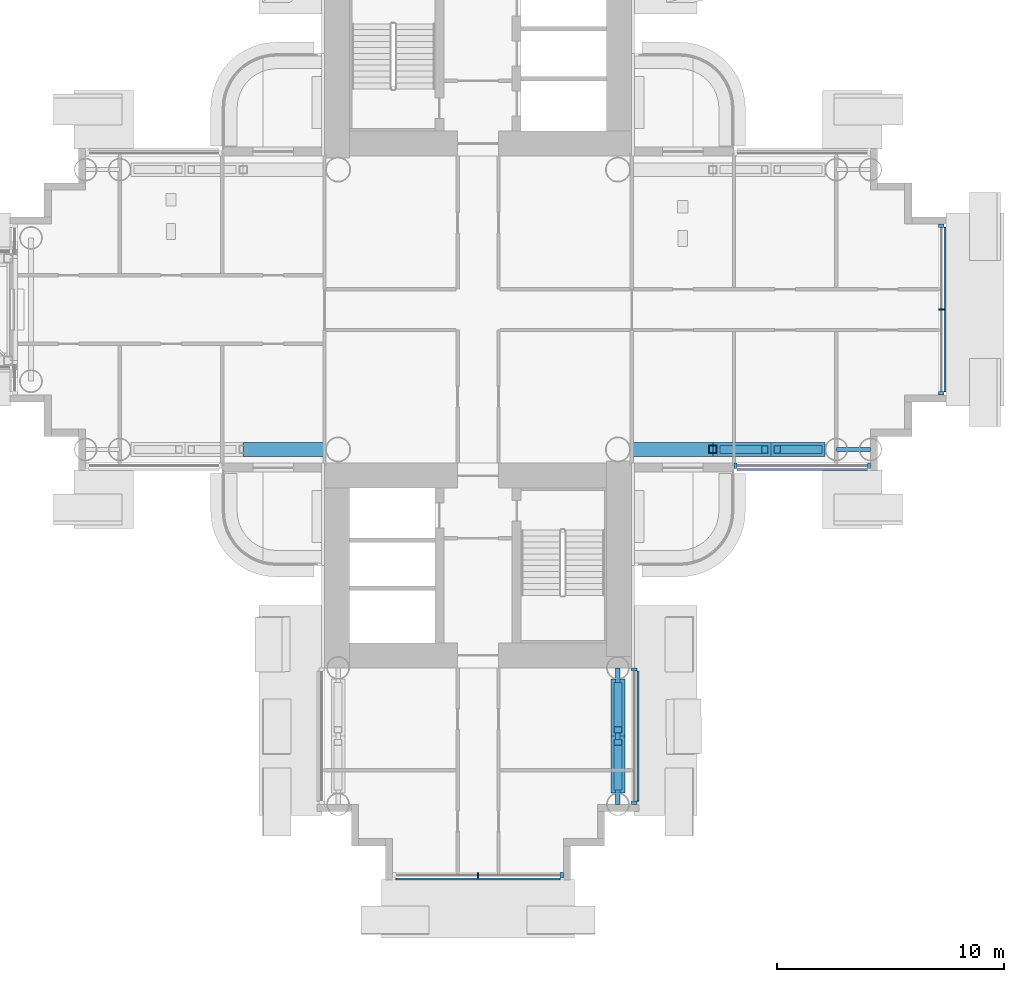
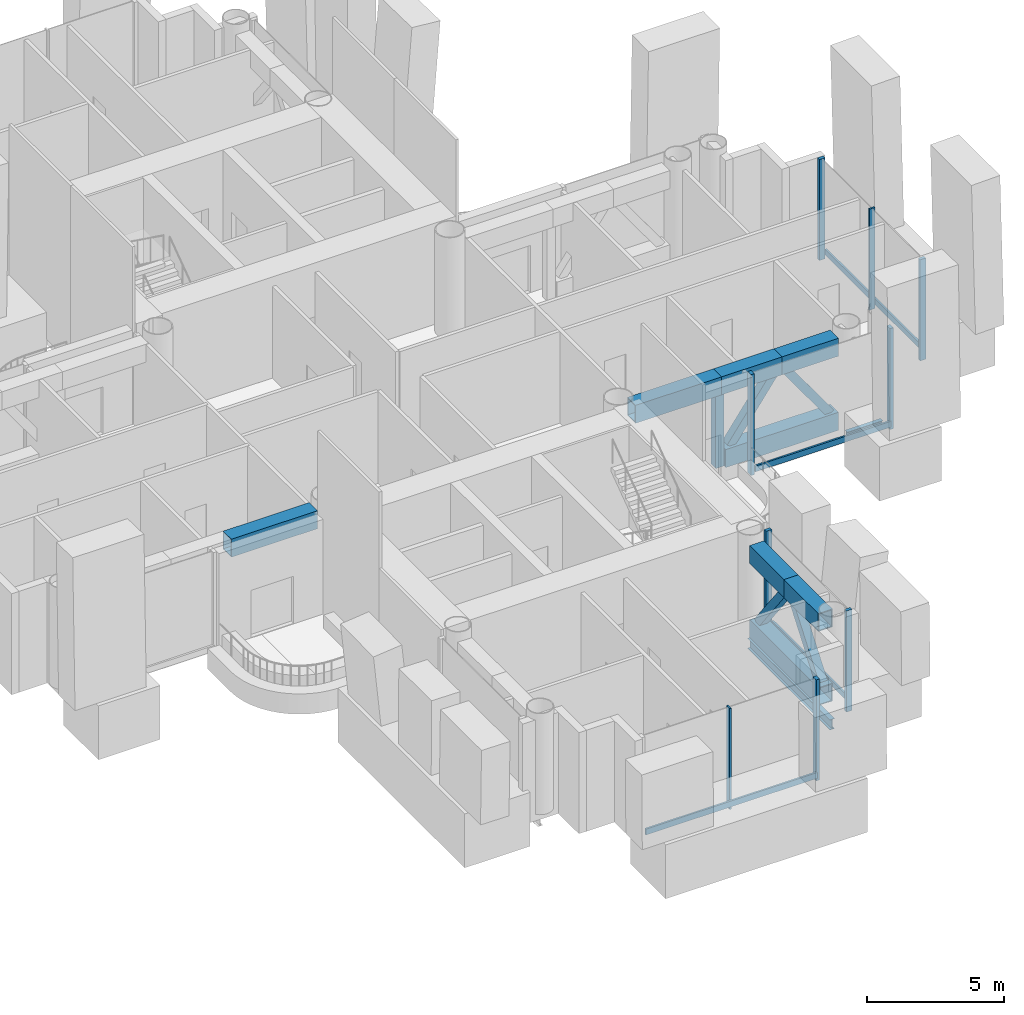
# One storey, part 8 of 27: 26 members, 2 beams, 4 elements without a shape of their own.
"""IFC4 building model written with IfcOpenShell, lengths in metres."""

import ifcopenshell
import ifcopenshell.guid

model = None  # the IFC model being written
_history = None  # IfcOwnerHistory: only IFC2X3 demands one
_inside = {}  # id of a spatial element -> (the spatial element, [elements in it])
_under = {}  # id of a project, library or spatial element -> (it, [spatial elements below it])
_declared = {}  # id of a project -> (the project, [libraries it declares])
_typed = {}  # id of a type object -> (the type object, [elements of that type])
_made_of = {}  # id of a material, layer set ... -> (it, [elements and type objects made of it])


def new_model(schema):
    """Start an empty IFC model of exactly this schema.

    Asked for "IFC4X3", IfcOpenShell would pick the latest addendum, in which some entities
    have other attributes; the version numbers below select the first issue.
    IFC2X3 requires an IfcOwnerHistory on every rooted entity: one is made here for all.
    """
    global model, _history
    if schema == "IFC4X3":
        model = ifcopenshell.file(schema_version=(4, 3, 0, 0))
    else:
        model = ifcopenshell.file(schema=schema)
    _inside.clear()
    _under.clear()
    _declared.clear()
    _typed.clear()
    _made_of.clear()
    _history = None
    if model.schema == "IFC2X3":
        org = make("IfcOrganization", Name="unknown")
        user = make(
            "IfcPersonAndOrganization",
            ThePerson=make("IfcPerson", FamilyName="unknown"),
            TheOrganization=org,
        )
        app = make(
            "IfcApplication",
            ApplicationDeveloper=org,
            Version="unknown",
            ApplicationFullName="unknown",
            ApplicationIdentifier="unknown",
        )
        _history = make(
            "IfcOwnerHistory",
            OwningUser=user,
            OwningApplication=app,
            ChangeAction="ADDED",
            CreationDate=0,
        )
    return model


def make(cls, **values):
    """One entity of the class cls with the attributes given. An attribute that is None is left unset."""
    return model.create_entity(
        cls, **{name: value for name, value in values.items() if value is not None}
    )


def rooted(cls, **values):
    """An entity with a GlobalId (a new one), such as an element, a storey or a relation."""
    return make(cls, GlobalId=ifcopenshell.guid.new(), OwnerHistory=_history, **values)


def si_unit(unit_type, name, prefix=None):
    """IfcSIUnit, for example si_unit("LENGTHUNIT", "METRE", prefix="MILLI")."""
    return make("IfcSIUnit", UnitType=unit_type, Prefix=prefix, Name=name)


def assignment(units):
    """IfcUnitAssignment: the units of a project."""
    return None if units is None else make("IfcUnitAssignment", Units=units)


def point(xyz):
    """IfcCartesianPoint."""
    return None if xyz is None else make("IfcCartesianPoint", Coordinates=xyz)


def direction(xyz):
    """IfcDirection."""
    return None if xyz is None else make("IfcDirection", DirectionRatios=xyz)


def frame(location, z_axis=None, x_axis=None):
    """IfcAxis2Placement3D, a coordinate frame: its origin and axes. An axis left out is left unset."""
    return make(
        "IfcAxis2Placement3D",
        Location=point(location),
        Axis=direction(z_axis),
        RefDirection=direction(x_axis),
    )


def frame_2d(location, x_axis=None):
    """IfcAxis2Placement2D, a coordinate frame in the plane: its origin and x axis."""
    return make(
        "IfcAxis2Placement2D", Location=point(location), RefDirection=direction(x_axis)
    )


def origin():
    """The frame at (0, 0, 0) with its axes left unset."""
    return frame((0.0, 0.0, 0.0))


def origin_2d():
    """The frame at (0, 0) in the plane with its x axis left unset."""
    return frame_2d((0.0, 0.0))


def place(relative_to, where):
    """IfcLocalPlacement: puts the frame where relative to a parent placement (None: the world)."""
    return make(
        "IfcLocalPlacement", PlacementRelTo=relative_to, RelativePlacement=where
    )


def context(
    kind, dimensions, precision=None, world=None, true_north=None, identifier=None
):
    """IfcGeometricRepresentationContext, for example the 3D "Model" context."""
    return make(
        "IfcGeometricRepresentationContext",
        ContextIdentifier=identifier,
        ContextType=kind,
        CoordinateSpaceDimension=dimensions,
        Precision=precision,
        WorldCoordinateSystem=world,
        TrueNorth=true_north,
    )


def subcontext(parent, identifier, kind, view, scale=None):
    """IfcGeometricRepresentationSubContext, for example "Body" below "Model"."""
    return make(
        "IfcGeometricRepresentationSubContext",
        ContextIdentifier=identifier,
        ContextType=kind,
        ParentContext=parent,
        TargetScale=scale,
        TargetView=view,
    )


def project(units=None, contexts=None):
    """IfcProject with its units and contexts."""
    return rooted(
        "IfcProject",
        Name="project",
        RepresentationContexts=contexts,
        UnitsInContext=assignment(units),
    )


def spatial(cls, under=None, at=None, **own):
    """A site, building, storey or space (cls), placed at a placement, below another one or the project."""
    s = rooted(cls, ObjectPlacement=at, **own)
    if under is not None:
        _under.setdefault(under.id(), (under, []))[1].append(s)
    return s


def profile(cls, at=None, kind="AREA", **sizes):
    """A parametric profile (cls). Its sizes go by their IFC names, for example OverallWidth=200.0."""
    return make(cls, ProfileType=kind, Position=at, **sizes)


def rectangle(**sizes):
    """IfcRectangleProfileDef."""
    return profile("IfcRectangleProfileDef", **sizes)


def hollow_rectangle(**sizes):
    """IfcRectangleHollowProfileDef."""
    return profile("IfcRectangleHollowProfileDef", **sizes)


def i_section(**sizes):
    """IfcIShapeProfileDef."""
    return profile("IfcIShapeProfileDef", **sizes)


def extrude(swept, where, along, depth):
    """IfcExtrudedAreaSolid: the profile swept, set in the frame where, extruded along a direction by depth."""
    return make(
        "IfcExtrudedAreaSolid",
        SweptArea=swept,
        Position=where,
        ExtrudedDirection=direction(along),
        Depth=depth,
    )


def shape(context_of_items, identifier, shape_type, items):
    """IfcShapeRepresentation: the items that make up one representation, for example the "Body"."""
    return make(
        "IfcShapeRepresentation",
        ContextOfItems=context_of_items,
        RepresentationIdentifier=identifier,
        RepresentationType=shape_type,
        Items=items,
    )


def material(Name=None, Category=None):
    """IfcMaterial."""
    return make("IfcMaterial", Name=Name, Category=Category)


def layer(
    of_material, thickness, ventilated=None, Name=None, Category=None, Priority=None
):
    """IfcMaterialLayer: one layer of a wall or slab, of a material (None: an air gap)."""
    return make(
        "IfcMaterialLayer",
        Material=of_material,
        LayerThickness=thickness,
        IsVentilated=ventilated,
        Name=Name,
        Category=Category,
        Priority=Priority,
    )


def layer_set(layers, Name=None):
    """IfcMaterialLayerSet."""
    return make("IfcMaterialLayerSet", MaterialLayers=layers, LayerSetName=Name)


def material_profile(
    of_material, cross_section, Name=None, Category=None, Priority=None
):
    """IfcMaterialProfile: a cross section and its material."""
    return make(
        "IfcMaterialProfile",
        Name=Name,
        Material=of_material,
        Profile=cross_section,
        Priority=Priority,
        Category=Category,
    )


def profile_set(profiles, Name=None, composite=None):
    """IfcMaterialProfileSet."""
    return make(
        "IfcMaterialProfileSet",
        Name=Name,
        MaterialProfiles=profiles,
        CompositeProfile=composite,
    )


def made_of(thing, what):
    """Note that an element or type object is made of a material, layer set ...; save() writes the relation."""
    if what is not None:
        _made_of.setdefault(what.id(), (what, []))[1].append(thing)
    return thing


def type_object(cls, material=None, **own):
    """A type object (cls), such as IfcWallType, which elements share."""
    return made_of(rooted(cls, **own), material)


def element(
    cls,
    number,
    at=None,
    inside=None,
    cuts=None,
    type_object=None,
    material=None,
    context=None,
    identifier="Body",
    shape_type=None,
    held_by="IfcProductDefinitionShape",
    body=None,
    shapes=None,
    **own,
):
    """One element of the class cls, such as IfcWall. Its Tag is "e" and its number.

    at: its placement. inside: the storey or other place that contains it. cuts: it is an
    opening in that element (IfcRelVoidsElement). A single representation is given by context,
    identifier, shape_type and body (its items); several are given by shapes. held_by: the class
    of the entity that holds the representations. save() writes the other relations.
    """
    e = rooted(cls, Tag="e%d" % number, ObjectPlacement=at, **own)
    if body is not None:
        shapes = [shape(context, identifier, shape_type, body)]
    if shapes is not None:
        e.Representation = make(held_by, Representations=shapes)
    if inside is not None:
        _inside.setdefault(inside.id(), (inside, []))[1].append(e)
    if cuts is not None:
        rooted(
            "IfcRelVoidsElement", RelatingBuildingElement=cuts, RelatedOpeningElement=e
        )
    if type_object is not None:
        _typed.setdefault(type_object.id(), (type_object, []))[1].append(e)
    return made_of(e, material)


def aggregate(whole, parts):
    """IfcRelAggregates: a whole, such as a stair, and the parts it consists of."""
    return rooted("IfcRelAggregates", RelatingObject=whole, RelatedObjects=parts)


def save(model, path):
    """Write the relations noted so far, then the file.

    IfcRelAggregates (storeys below a building ...), IfcRelContainedInSpatialStructure (elements
    in a storey), IfcRelDefinesByType, IfcRelAssociatesMaterial and IfcRelDeclares: one each for
    every whole, place, type object, material and project.
    """
    for whole, parts in _under.values():
        aggregate(whole, parts)
    for where, things in _inside.values():
        rooted(
            "IfcRelContainedInSpatialStructure",
            RelatedElements=things,
            RelatingStructure=where,
        )
    for kind, things in _typed.values():
        rooted("IfcRelDefinesByType", RelatedObjects=things, RelatingType=kind)
    for what, things in _made_of.values():
        rooted("IfcRelAssociatesMaterial", RelatedObjects=things, RelatingMaterial=what)
    for by, libraries in _declared.values():
        rooted("IfcRelDeclares", RelatingContext=by, RelatedDefinitions=libraries)
    model.write(path)


model = new_model("IFC4")

# Units and contexts
model_context = context("Model", 3, precision=1e-05, world=origin(), true_north=direction((0.0, 1.0)))
body_context = subcontext(model_context, "Body", "Model", "MODEL_VIEW")
ifc_project = project(units=[si_unit("LENGTHUNIT", "METRE"), si_unit("AREAUNIT", "SQUARE_METRE"), si_unit("VOLUMEUNIT", "CUBIC_METRE"), si_unit("PLANEANGLEUNIT", "RADIAN"), si_unit("MASSUNIT", "GRAM", prefix="KILO")], contexts=[model_context])

# Site, building, storey
site_placement = place(None, origin())
site = spatial("IfcSite", under=ifc_project, at=site_placement, CompositionType="ELEMENT")
building_placement = place(site_placement, origin())
building = spatial("IfcBuilding", under=site, at=building_placement, Name="Ipe Terrace Towers", CompositionType="ELEMENT")
storey_placement = place(building_placement, frame((0.0, 0.0, 72.10009765625)))
storey = spatial("IfcBuildingStorey", under=building, at=storey_placement, Name="L19", CompositionType="ELEMENT", Elevation=72.10009765625)

# Beams
ifc_material_1 = material(Name="Steel S355", Category="steel")
ifc_material_profile_1 = material_profile(ifc_material_1, i_section(OverallWidth=0.175048828125, OverallDepth=0.35009765625, WebThickness=0.007080078125, FlangeThickness=0.010986328125, at=origin_2d()), Name="H-350x175x7x11")
ifc_profile_set_1 = profile_set([ifc_material_profile_1], Name="Steel S355")
beam_type_1 = type_object("IfcBeamType", Name="H04 EDGE BEAM H-350x175x7x11", PredefinedType="BEAM", material=ifc_profile_set_1)
beam_1_placement = place(storey_placement, frame((51.75, -6.14990234375, -0.5751953125), z_axis=(1.0, 0.0, 0.0), x_axis=(0.0, 1.0, 0.0)))
element("IfcBeam", 1, at=beam_1_placement, inside=storey, type_object=beam_type_1, Name="Edge beam T2-EB-D03-D05", PredefinedType="BEAM", context=body_context, shape_type="SweptSolid", body=[
    extrude(i_section(OverallWidth=0.175048828125, OverallDepth=0.35009765625, WebThickness=0.007080078125, FlangeThickness=0.010986328125, at=origin_2d()), origin(), (0.0, 0.0, 1.0), 1.5),
])
ifc_material_2 = material(Name="Steel S355", Category="steel")
ifc_material_profile_2 = material_profile(ifc_material_2, i_section(OverallWidth=0.199951171875, OverallDepth=0.449951171875, WebThickness=0.009033203125, FlangeThickness=0.013916015625, at=origin_2d()), Name="H-450x200x9x14")
ifc_profile_set_2 = profile_set([ifc_material_profile_2], Name="Steel S355")
beam_type_2 = type_object("IfcBeamType", Name="H08 EDGE BEAM H-450x200x9x14", PredefinedType="BEAM", material=ifc_profile_set_2)
beam_2_placement = place(storey_placement, frame((42.14990234375, -15.75, -0.625), z_axis=(0.0, -1.0, 0.0), x_axis=(1.0, 0.0, 0.0)))
element("IfcBeam", 2, at=beam_2_placement, inside=storey, type_object=beam_type_2, Name="Edge beam T2-EB-C01-C03", PredefinedType="BEAM", context=body_context, shape_type="SweptSolid", body=[
    extrude(i_section(OverallWidth=0.199951171875, OverallDepth=0.449951171875, WebThickness=0.009033203125, FlangeThickness=0.013916015625, at=origin_2d()), origin(), (0.0, 0.0, 1.0), 6.0),
])

# Members
ifc_material_3 = material(Name="Steel S355", Category="steel")
ifc_material_profile_3 = material_profile(ifc_material_3, hollow_rectangle(XDim=0.35009765625, YDim=0.35009765625, WallThickness=0.02001953125, at=origin_2d()), Name="OUTRIGGER-BRACE BOX 350x350x20")
ifc_profile_set_3 = profile_set([ifc_material_profile_3], Name="Steel S355")
member_type_1 = type_object("IfcMemberType", Name="OUTRIGGER-BRACE BOX 350x350x20", PredefinedType="BRACE", material=ifc_profile_set_3)
for number, where, z_axis, x_axis, name in (
    (3, (42.14990234375, -16.528076171875, 0.77978515625), (0.0, -0.60773905456, 0.794136790209), (1.0, 0.0, 0.0), "T2-OR-L19-114 diagonal"),
    (4, (42.14990234375, -20.971923828125, 0.77978515625), (0.0, 0.60773905456, 0.794136790209), (-1.0, 0.0, 0.0), "T2-OR-L19-115 diagonal"),
):
    element("IfcMember", number, at=place(storey_placement, frame(where, z_axis=z_axis, x_axis=x_axis)), inside=storey, type_object=member_type_1, Name=name, PredefinedType="BRACE", context=body_context, shape_type="SweptSolid", body=[
        extrude(hollow_rectangle(XDim=0.35009765625, YDim=0.35009765625, WallThickness=0.02001953125, at=origin_2d()), origin(), (0.0, 0.0, 1.0), 3.198486328125),
    ])
for number, where, z_axis, x_axis, name in (
    (5, (46.77294921875, -6.14990234375, 0.77978515625), (0.58436225727, 0.0, 0.811492915729), (0.0, 1.0, 0.0), "T2-OR-L19-145 diagonal"),
    (6, (50.97705078125, -6.14990234375, 0.77978515625), (-0.58436225727, 0.0, 0.811492915729), (0.0, -1.0, 0.0), "T2-OR-L19-146 diagonal"),
):
    element("IfcMember", number, at=place(storey_placement, frame(where, z_axis=z_axis, x_axis=x_axis)), inside=storey, type_object=member_type_1, Name=name, PredefinedType="BRACE", context=body_context, shape_type="SweptSolid", body=[
        extrude(hollow_rectangle(XDim=0.35009765625, YDim=0.35009765625, WallThickness=0.02001953125, at=origin_2d()), origin(), (0.0, 0.0, 1.0), 3.130126953125),
    ])
ifc_material_4 = material(Name="Steel S355", Category="steel")
ifc_material_profile_4 = material_profile(ifc_material_4, hollow_rectangle(XDim=0.60009765625, YDim=0.800048828125, WallThickness=0.0400390625, at=origin_2d()), Name="OUTRIGGER-CHORD BOX 600x800x40")
ifc_profile_set_4 = profile_set([ifc_material_profile_4], Name="Steel S355")
member_type_2 = type_object("IfcMemberType", Name="OUTRIGGER-CHORD BOX 600x800x40", PredefinedType="CHORD", material=ifc_profile_set_4)
member_1_placement = place(storey_placement, frame((42.14990234375, -16.25, 0.39990234375), z_axis=(0.0, -1.0, 0.0), x_axis=(1.0, 0.0, 0.0)))
element("IfcMember", 7, at=member_1_placement, inside=storey, type_object=member_type_2, Name="T2-OR-L19-113 bottom chord", PredefinedType="CHORD", context=body_context, shape_type="SweptSolid", body=[
    extrude(hollow_rectangle(XDim=0.60009765625, YDim=0.800048828125, WallThickness=0.0400390625, at=origin_2d()), origin(), (0.0, 0.0, 1.0), 5.0),
])
for number, where, z_axis, x_axis, name in (
    (8, (42.14990234375, -16.25, 3.699951171875), (0.0, -1.0, 0.0), (1.0, 0.0, 0.0), "T2-OR-L19-116 top chord"),
    (9, (42.14990234375, -18.75, 3.699951171875), (0.0, -1.0, 0.0), (1.0, 0.0, 0.0), "T2-OR-L19-117 top chord"),
):
    element("IfcMember", number, at=place(storey_placement, frame(where, z_axis=z_axis, x_axis=x_axis)), inside=storey, type_object=member_type_2, Name=name, PredefinedType="CHORD", context=body_context, shape_type="SweptSolid", body=[
        extrude(hollow_rectangle(XDim=0.60009765625, YDim=0.800048828125, WallThickness=0.0400390625, at=origin_2d()), origin(), (0.0, 0.0, 1.0), 2.5),
    ])
member_2_placement = place(storey_placement, frame((29.300048828125, -6.14990234375, 3.699951171875), z_axis=(-1.0, 0.0, 0.0), x_axis=(0.0, -1.0, 0.0)))
element("IfcMember", 10, at=member_2_placement, inside=storey, type_object=member_type_2, Name="T2-OR-L19-127 top chord", PredefinedType="CHORD", context=body_context, shape_type="SweptSolid", body=[
    extrude(hollow_rectangle(XDim=0.60009765625, YDim=0.800048828125, WallThickness=0.0400390625, at=origin_2d()), origin(), (0.0, 0.0, 1.0), 3.625),
])
member_3_placement = place(storey_placement, frame((46.5, -6.14990234375, 0.39990234375), z_axis=(1.0, 0.0, 0.0), x_axis=(0.0, 1.0, 0.0)))
element("IfcMember", 11, at=member_3_placement, inside=storey, type_object=member_type_2, Name="T2-OR-L19-144 bottom chord", PredefinedType="CHORD", context=body_context, shape_type="SweptSolid", body=[
    extrude(hollow_rectangle(XDim=0.60009765625, YDim=0.800048828125, WallThickness=0.0400390625, at=origin_2d()), origin(), (0.0, 0.0, 1.0), 4.75),
])
member_4_placement = place(storey_placement, frame((42.699951171875, -6.14990234375, 3.699951171875), z_axis=(1.0, 0.0, 0.0), x_axis=(0.0, 1.0, 0.0)))
element("IfcMember", 12, at=member_4_placement, inside=storey, type_object=member_type_2, Name="T2-OR-L19-148 top chord", PredefinedType="CHORD", context=body_context, shape_type="SweptSolid", body=[
    extrude(hollow_rectangle(XDim=0.60009765625, YDim=0.800048828125, WallThickness=0.0400390625, at=origin_2d()), origin(), (0.0, 0.0, 1.0), 3.625),
])
member_5_placement = place(storey_placement, frame((46.324951171875, -6.14990234375, 3.699951171875), z_axis=(1.0, 0.0, 0.0), x_axis=(0.0, 1.0, 0.0)))
element("IfcMember", 13, at=member_5_placement, inside=storey, type_object=member_type_2, Name="T2-OR-L19-149 top chord", PredefinedType="CHORD", context=body_context, shape_type="SweptSolid", body=[
    extrude(hollow_rectangle(XDim=0.60009765625, YDim=0.800048828125, WallThickness=0.0400390625, at=origin_2d()), origin(), (0.0, 0.0, 1.0), 2.550048828125),
])
member_6_placement = place(storey_placement, frame((48.875, -6.14990234375, 3.699951171875), z_axis=(1.0, 0.0, 0.0), x_axis=(0.0, 1.0, 0.0)))
element("IfcMember", 14, at=member_6_placement, inside=storey, type_object=member_type_2, Name="T2-OR-L19-150 top chord", PredefinedType="CHORD", context=body_context, shape_type="SweptSolid", body=[
    extrude(hollow_rectangle(XDim=0.60009765625, YDim=0.800048828125, WallThickness=0.0400390625, at=origin_2d()), origin(), (0.0, 0.0, 1.0), 2.375),
])
ifc_material_5 = material(Name="Steel S355", Category="steel")
ifc_material_profile_5 = material_profile(ifc_material_5, hollow_rectangle(XDim=0.35009765625, YDim=0.35009765625, WallThickness=0.02001953125, at=origin_2d()), Name="OUTRIGGER-POST BOX 350x350x20")
ifc_profile_set_5 = profile_set([ifc_material_profile_5], Name="Steel S355")
member_type_3 = type_object("IfcMemberType", Name="OUTRIGGER-POST BOX 350x350x20", PredefinedType="POST", material=ifc_profile_set_5)
member_7_placement = place(storey_placement, frame((46.324951171875, -6.14990234375, 0.0), z_axis=(0.0, 0.0, 1.0), x_axis=(1.0, 0.0, 0.0)))
element("IfcMember", 15, at=member_7_placement, inside=storey, type_object=member_type_3, Name="T2-OR-L19-147 post", PredefinedType="POST", context=body_context, shape_type="SweptSolid", body=[
    extrude(hollow_rectangle(XDim=0.35009765625, YDim=0.35009765625, WallThickness=0.02001953125, at=origin_2d()), origin(), (0.0, 0.0, 1.0), 3.2998046875),
])

# Curtain wall, members
ifc_material_6 = material(Name="Aluminium alloy 6063-T6", Category="aluminium")
ifc_layer = layer(ifc_material_6, 0.320068359375)
ifc_layer_set = layer_set([ifc_layer], Name="REFUGE FLOOR CURTAIN WALL")
curtain_wall_type = type_object("IfcCurtainWallType", Name="REFUGE FLOOR CURTAIN WALL", PredefinedType="NOTDEFINED", material=ifc_layer_set)
curtain_wall_1_placement = place(storey_placement, origin())
curtain_wall_1 = element("IfcCurtainWall", 16, at=curtain_wall_1_placement, inside=storey, type_object=curtain_wall_type, Name="T2-CW-L19-04a curtain wall", PredefinedType="NOTDEFINED")
ifc_material_7 = material(Name="Aluminium alloy 6063-T6", Category="aluminium")
ifc_material_profile_6 = material_profile(ifc_material_7, rectangle(XDim=0.239990234375, YDim=0.139892578125, at=origin_2d()), Name="REFUGE FLOOR CORNER MULLION 240 x 140")
ifc_profile_set_6 = profile_set([ifc_material_profile_6], Name="Aluminium alloy 6063-T6")
member_type_4 = type_object("IfcMemberType", Name="REFUGE FLOOR CORNER MULLION 240 x 140", PredefinedType="MULLION", material=ifc_profile_set_6)
member_8_placement = place(storey_placement, frame((42.8701171875, -21.679931640625, -0.300048828125), z_axis=(0.0, 0.0, 1.0), x_axis=(1.0, 0.0, 0.0)))
member_8 = element("IfcMember", 17, at=member_8_placement, type_object=member_type_4, Name="T2-CW-L19-04a mullion 1", PredefinedType="MULLION", context=body_context, shape_type="SweptSolid", body=[
    extrude(rectangle(XDim=0.239990234375, YDim=0.139892578125, at=origin_2d()), origin(), (0.0, 0.0, 1.0), 4.5),
])
member_9_placement = place(storey_placement, frame((42.8701171875, -15.821044921875, -0.300048828125), z_axis=(0.0, 0.0, 1.0), x_axis=(1.0, 0.0, 0.0)))
member_9 = element("IfcMember", 18, at=member_9_placement, type_object=member_type_4, Name="T2-CW-L19-04a mullion 2", PredefinedType="MULLION", context=body_context, shape_type="SweptSolid", body=[
    extrude(rectangle(XDim=0.239990234375, YDim=0.139892578125, at=origin_2d()), origin(), (0.0, 0.0, 1.0), 4.5),
])

curtain_wall_2_placement = place(storey_placement, origin())
curtain_wall_2 = element("IfcCurtainWall", 19, at=curtain_wall_2_placement, inside=storey, type_object=curtain_wall_type, Name="T2-CW-L19-07a curtain wall", PredefinedType="NOTDEFINED")
member_10_placement = place(storey_placement, frame((47.320068359375, -6.8701171875, -0.300048828125), z_axis=(0.0, 0.0, 1.0), x_axis=(0.0, -1.0, 0.0)))
member_10 = element("IfcMember", 20, at=member_10_placement, type_object=member_type_4, Name="T2-CW-L19-07a mullion 1", PredefinedType="MULLION", context=body_context, shape_type="SweptSolid", body=[
    extrude(rectangle(XDim=0.239990234375, YDim=0.139892578125, at=origin_2d()), origin(), (0.0, 0.0, 1.0), 4.5),
])
member_11_placement = place(storey_placement, frame((53.179931640625, -6.8701171875, -0.300048828125), z_axis=(0.0, 0.0, 1.0), x_axis=(0.0, -1.0, 0.0)))
member_11 = element("IfcMember", 21, at=member_11_placement, type_object=member_type_4, Name="T2-CW-L19-07a mullion 2", PredefinedType="MULLION", context=body_context, shape_type="SweptSolid", body=[
    extrude(rectangle(XDim=0.239990234375, YDim=0.139892578125, at=origin_2d()), origin(), (0.0, 0.0, 1.0), 4.5),
])

curtain_wall_3_placement = place(storey_placement, origin())
curtain_wall_3 = element("IfcCurtainWall", 22, at=curtain_wall_3_placement, inside=storey, type_object=curtain_wall_type, Name="T2-CW-L19-12a curtain wall", PredefinedType="NOTDEFINED")
member_12_placement = place(storey_placement, frame((56.3701171875, -3.679931640625, -0.300048828125), z_axis=(0.0, 0.0, 1.0), x_axis=(1.0, 0.0, 0.0)))
member_12 = element("IfcMember", 23, at=member_12_placement, type_object=member_type_4, Name="T2-CW-L19-12a mullion 1", PredefinedType="MULLION", context=body_context, shape_type="SweptSolid", body=[
    extrude(rectangle(XDim=0.239990234375, YDim=0.139892578125, at=origin_2d()), origin(), (0.0, 0.0, 1.0), 4.5),
])
member_13_placement = place(storey_placement, frame((56.3701171875, 3.679931640625, -0.300048828125), z_axis=(0.0, 0.0, 1.0), x_axis=(1.0, 0.0, 0.0)))
member_13 = element("IfcMember", 24, at=member_13_placement, type_object=member_type_4, Name="T2-CW-L19-12a mullion 3", PredefinedType="MULLION", context=body_context, shape_type="SweptSolid", body=[
    extrude(rectangle(XDim=0.239990234375, YDim=0.139892578125, at=origin_2d()), origin(), (0.0, 0.0, 1.0), 4.5),
])

# Curtain wall, member
curtain_wall_4_placement = place(storey_placement, origin())
curtain_wall_4 = element("IfcCurtainWall", 25, at=curtain_wall_4_placement, inside=storey, type_object=curtain_wall_type, Name="T2-CW-L19-51a curtain wall", PredefinedType="NOTDEFINED")
member_14_placement = place(storey_placement, frame((39.679931640625, -24.8701171875, -0.300048828125), z_axis=(0.0, 0.0, 1.0), x_axis=(0.0, -1.0, 0.0)))
member_14 = element("IfcMember", 26, at=member_14_placement, type_object=member_type_4, Name="T2-CW-L19-51a mullion 3", PredefinedType="MULLION", context=body_context, shape_type="SweptSolid", body=[
    extrude(rectangle(XDim=0.239990234375, YDim=0.139892578125, at=origin_2d()), origin(), (0.0, 0.0, 1.0), 4.5),
])

# Member
ifc_material_8 = material(Name="Aluminium alloy 6063-T6", Category="aluminium")
ifc_material_profile_7 = material_profile(ifc_material_8, rectangle(XDim=0.239990234375, YDim=0.074951171875, at=origin_2d()), Name="REFUGE FLOOR MULLION 240 x 75")
ifc_profile_set_7 = profile_set([ifc_material_profile_7], Name="Aluminium alloy 6063-T6")
member_type_5 = type_object("IfcMemberType", Name="REFUGE FLOOR MULLION 240 x 75", PredefinedType="MULLION", material=ifc_profile_set_7)
member_15_placement = place(storey_placement, frame((56.3701171875, 0.0, -0.300048828125), z_axis=(0.0, 0.0, 1.0), x_axis=(1.0, 0.0, 0.0)))
member_15 = element("IfcMember", 27, at=member_15_placement, type_object=member_type_5, Name="T2-CW-L19-12a mullion 2", PredefinedType="MULLION", context=body_context, shape_type="SweptSolid", body=[
    extrude(rectangle(XDim=0.239990234375, YDim=0.074951171875, at=origin_2d()), origin(), (0.0, 0.0, 1.0), 4.5),
])

member_16_placement = place(storey_placement, frame((36.0, -24.8701171875, -0.300048828125), z_axis=(0.0, 0.0, 1.0), x_axis=(0.0, -1.0, 0.0)))
member_16 = element("IfcMember", 28, at=member_16_placement, type_object=member_type_5, Name="T2-CW-L19-51a mullion 2", PredefinedType="MULLION", context=body_context, shape_type="SweptSolid", body=[
    extrude(rectangle(XDim=0.239990234375, YDim=0.074951171875, at=origin_2d()), origin(), (0.0, 0.0, 1.0), 4.5),
])

ifc_material_9 = material(Name="Aluminium alloy 6063-T6", Category="aluminium")
ifc_material_profile_8 = material_profile(ifc_material_9, rectangle(XDim=0.080078125, YDim=0.260009765625, at=origin_2d()), Name="REFUGE FLOOR TRANSOM 80 x 260")
ifc_profile_set_8 = profile_set([ifc_material_profile_8], Name="Aluminium alloy 6063-T6")
member_type_6 = type_object("IfcMemberType", Name="REFUGE FLOOR TRANSOM 80 x 260", PredefinedType="USERDEFINED", material=ifc_profile_set_8)
member_17_placement = place(storey_placement, frame((43.030029296875, -21.610107421875, 0.0), z_axis=(0.0, 1.0, 0.0), x_axis=(1.0, 0.0, 0.0)))
member_17 = element("IfcMember", 29, at=member_17_placement, type_object=member_type_6, Name="T2-CW-L19-04a transom", ObjectType="TRANSOM", PredefinedType="USERDEFINED", context=body_context, shape_type="SweptSolid", body=[
    extrude(rectangle(XDim=0.080078125, YDim=0.260009765625, at=origin_2d()), origin(), (0.0, 0.0, 1.0), 5.718994140625),
])

aggregate(curtain_wall_1, [member_8, member_9, member_17])

member_18_placement = place(storey_placement, frame((47.389892578125, -7.030029296875, 0.0), z_axis=(1.0, 0.0, 0.0), x_axis=(0.0, -1.0, 0.0)))
member_18 = element("IfcMember", 30, at=member_18_placement, type_object=member_type_6, Name="T2-CW-L19-07a transom", ObjectType="TRANSOM", PredefinedType="USERDEFINED", context=body_context, shape_type="SweptSolid", body=[
    extrude(rectangle(XDim=0.080078125, YDim=0.260009765625, at=origin_2d()), origin(), (0.0, 0.0, 1.0), 5.72021484375),
])

aggregate(curtain_wall_2, [member_10, member_11, member_18])

member_19_placement = place(storey_placement, frame((56.530029296875, -3.610107421875, 0.0), z_axis=(0.0, 1.0, 0.0), x_axis=(1.0, 0.0, 0.0)))
member_19 = element("IfcMember", 31, at=member_19_placement, type_object=member_type_6, Name="T2-CW-L19-12a transom", ObjectType="TRANSOM", PredefinedType="USERDEFINED", context=body_context, shape_type="SweptSolid", body=[
    extrude(rectangle(XDim=0.080078125, YDim=0.260009765625, at=origin_2d()), origin(), (0.0, 0.0, 1.0), 7.22021484375),
])

aggregate(curtain_wall_3, [member_12, member_15, member_13, member_19])

member_20_placement = place(storey_placement, frame((32.389892578125, -25.030029296875, 0.0), z_axis=(1.0, 0.0, 0.0), x_axis=(0.0, -1.0, 0.0)))
member_20 = element("IfcMember", 32, at=member_20_placement, type_object=member_type_6, Name="T2-CW-L19-51a transom", ObjectType="TRANSOM", PredefinedType="USERDEFINED", context=body_context, shape_type="SweptSolid", body=[
    extrude(rectangle(XDim=0.080078125, YDim=0.260009765625, at=origin_2d()), origin(), (0.0, 0.0, 1.0), 7.22021484375),
])

aggregate(curtain_wall_4, [member_16, member_14, member_20])

save(model, "model.ifc")
